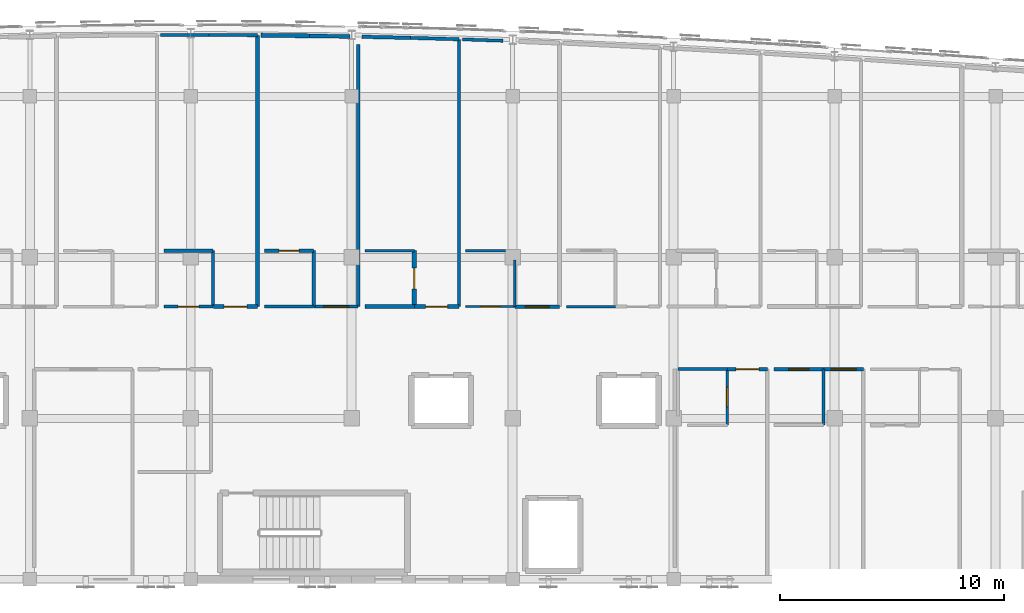
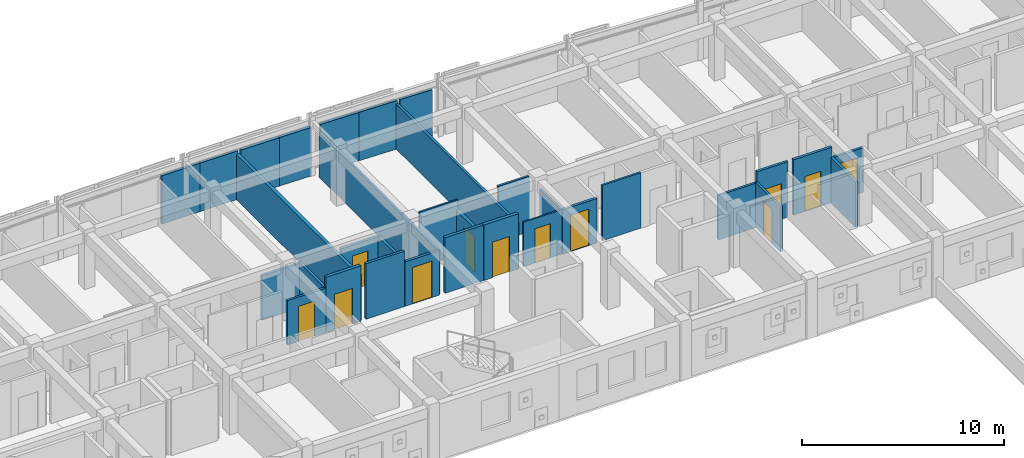
# One storey, part 42 of 50: 33 walls, 12 doors, 12 openings.
"""IFC4 building model written with IfcOpenShell, lengths in metres."""

from ifc_helpers import new_model, si_unit, direction, frame, frame_2d, origin, place, context, subcontext, project, spatial, rectangle, extrude, material, layer, layer_set, type_object, element, fill, save


model = new_model("IFC4")

# Units and contexts
model_context = context("Model", 3, precision=1e-05, world=origin(), true_north=direction((0.0, 1.0)))
body_context = subcontext(model_context, "Body", "Model", "MODEL_VIEW")
ifc_project = project(units=[si_unit("LENGTHUNIT", "METRE"), si_unit("AREAUNIT", "SQUARE_METRE"), si_unit("VOLUMEUNIT", "CUBIC_METRE"), si_unit("PLANEANGLEUNIT", "RADIAN"), si_unit("MASSUNIT", "GRAM", prefix="KILO")], contexts=[model_context])

# Site, building, storey
site_placement = place(None, origin())
site = spatial("IfcSite", under=ifc_project, at=site_placement, CompositionType="ELEMENT")
building_placement = place(site_placement, origin())
building = spatial("IfcBuilding", under=site, at=building_placement, Name="Carrowvane Square Congress Hotel", CompositionType="ELEMENT")
storey_placement = place(building_placement, frame((0.0, 0.0, 22.800048828125)))
storey = spatial("IfcBuildingStorey", under=building, at=storey_placement, Name="L05", CompositionType="ELEMENT", Elevation=22.800048828125)

# Wall, opening, door
ifc_material_1 = material(Name="Acoustic gypsum board", Category="gypsum")
ifc_layer_1 = layer(ifc_material_1, 0.155029296875)
ifc_layer_set_1 = layer_set([ifc_layer_1], Name="Acoustic gypsum board")
wall_type_1 = type_object("IfcWallType", Name="WL-FIR-155", PredefinedType="PARTITIONING", material=ifc_layer_set_1)
wall_1_placement = place(storey_placement, frame((124.10009765625, 101.199951171875, 0.0), z_axis=(0.0, 0.0, 1.0), x_axis=(1.0, 0.0, 0.0)))
wall_1 = element("IfcWall", 1, at=wall_1_placement, inside=storey, type_object=wall_type_1, Name="L05 En-suite Bathroom 0508 partition", PredefinedType="PARTITIONING", context=body_context, shape_type="SweptSolid", body=[
    extrude(rectangle(XDim=2.199951171875, YDim=0.155029296875, at=frame_2d((1.10009765625, 0.0))), origin(), (0.0, 0.0, 1.0), 3.349853515625),
])
opening_1_placement = place(wall_1_placement, frame((0.64501953125, 0.0, 0.0)))
opening_1 = element("IfcOpeningElement", 2, at=opening_1_placement, cuts=wall_1, Name="Opening ID-17", PredefinedType="OPENING", context=body_context, shape_type="SweptSolid", body=[
    extrude(rectangle(XDim=0.909912109375, YDim=2.110107421875, at=frame_2d((0.455078125, 1.05517578125))), frame((0.0, 0.08740234375, 0.0), z_axis=(0.0, -1.0, 0.0), x_axis=(1.0, 0.0, 0.0)), (0.0, 0.0, 1.0), 0.175048828125),
])
ifc_material_2 = material(Name="European oak timber", Category="wood")
door_type_1 = type_object("IfcDoorType", Name="DR-INT-0910x2110", OperationType="NOTDEFINED", PredefinedType="DOOR", material=ifc_material_2)
door_1_placement = place(opening_1_placement, origin())
door_1 = element("IfcDoor", 3, at=door_1_placement, inside=storey, type_object=door_type_1, Name="L05 En-suite Bathroom 0508 door", OperationType="SINGLE_SWING_LEFT", OverallHeight=2.110107421875, OverallWidth=0.909912109375, PredefinedType="DOOR", context=body_context, shape_type="SweptSolid", body=[
    extrude(rectangle(XDim=0.909912109375, YDim=2.110107421875, at=frame_2d((0.455078125, 1.05517578125))), frame((0.0, 0.02490234375, 0.0), z_axis=(0.0, -1.0, 0.0), x_axis=(1.0, 0.0, 0.0)), (0.0, 0.0, 1.0), 0.050048828125),
])
fill(opening_1, door_1)

# Walls
wall_2_placement = place(storey_placement, frame((103.5, 106.5, 0.0), z_axis=(0.0, 0.0, 1.0), x_axis=(0.0, -1.0, 0.0)))
element("IfcWall", 4, at=wall_2_placement, inside=storey, type_object=wall_type_1, Name="L05 En-suite Bathroom 0523 partition", PredefinedType="PARTITIONING", context=body_context, shape_type="SweptSolid", body=[
    extrude(rectangle(XDim=2.5, YDim=0.155029296875, at=frame_2d((1.25, 0.0))), origin(), (0.0, 0.0, 1.0), 2.73486328125),
])
wall_3_placement = place(storey_placement, frame((105.489990234375, 115.713134765625, 0.0), z_axis=(0.0, 0.0, 1.0), x_axis=(0.0, -1.0, 0.0)))
element("IfcWall", 5, at=wall_3_placement, inside=storey, type_object=wall_type_1, Name="L05 Parkview Guest Bedroom 0523 partition", PredefinedType="PARTITIONING", context=body_context, shape_type="SweptSolid", body=[
    extrude(rectangle(XDim=11.713134765625, YDim=0.155029296875, at=frame_2d((5.8564453125, 0.0))), origin(), (0.0, 0.0, 1.0), 2.68505859375),
])
wall_4_placement = place(storey_placement, frame((105.64990234375, 116.069580078125, 0.0), z_axis=(0.0, 0.0, 1.0), x_axis=(0.999731574518, -0.023168489633, 0.0)))
element("IfcWall", 6, at=wall_4_placement, inside=storey, type_object=wall_type_1, Name="L05 Parkview Guest Bedroom 0524 partition", PredefinedType="PARTITIONING", context=body_context, shape_type="SweptSolid", body=[
    extrude(rectangle(XDim=2.170654296875, YDim=0.155029296875, at=frame_2d((1.08544921875, 0.0))), origin(), (0.0, 0.0, 1.0), 2.925537109375),
])

# Wall, opening, door
wall_5_placement = place(storey_placement, frame((114.489990234375, 104.0, 0.0), z_axis=(0.0, 0.0, 1.0), x_axis=(-1.0, 0.0, 0.0)))
wall_5 = element("IfcWall", 7, at=wall_5_placement, inside=storey, type_object=wall_type_1, Name="L05 Parkview Guest Bedroom 0525 partition", PredefinedType="PARTITIONING", context=body_context, shape_type="SweptSolid", body=[
    extrude(rectangle(XDim=1.97998046875, YDim=0.155029296875, at=frame_2d((0.989990234375, 0.0))), origin(), (0.0, 0.0, 1.0), 2.68505859375),
])
opening_2_placement = place(wall_5_placement, frame((0.4599609375, 0.0, 0.0)))
opening_2 = element("IfcOpeningElement", 8, at=opening_2_placement, cuts=wall_5, Name="Opening FD-09", PredefinedType="OPENING", context=body_context, shape_type="SweptSolid", body=[
    extrude(rectangle(XDim=1.06005859375, YDim=2.199951171875, at=frame_2d((0.530029296875, 1.10009765625))), frame((0.0, 0.08740234375, 0.0), z_axis=(0.0, -1.0, 0.0), x_axis=(1.0, 0.0, 0.0)), (0.0, 0.0, 1.0), 0.175048828125),
])
ifc_material_3 = material(Name="European oak timber", Category="wood")
door_type_2 = type_object("IfcDoorType", Name="DR-FD30-1060x2200", OperationType="NOTDEFINED", PredefinedType="DOOR", material=ifc_material_3)
door_2_placement = place(opening_2_placement, origin())
door_2 = element("IfcDoor", 9, at=door_2_placement, inside=storey, type_object=door_type_2, Name="L05 Parkview Guest Bedroom 0525 entrance door", OperationType="SINGLE_SWING_RIGHT", OverallHeight=2.199951171875, OverallWidth=1.06005859375, PredefinedType="DOOR", context=body_context, shape_type="SweptSolid", body=[
    extrude(rectangle(XDim=1.06005859375, YDim=2.199951171875, at=frame_2d((0.530029296875, 1.10009765625))), frame((0.0, 0.02490234375, 0.0), z_axis=(0.0, -1.0, 0.0), x_axis=(1.0, 0.0, 0.0)), (0.0, 0.0, 1.0), 0.050048828125),
])
fill(opening_2, door_2)

ifc_material_4 = material(Name="Acoustic gypsum board", Category="gypsum")
ifc_layer_2 = layer(ifc_material_4, 0.169921875)
ifc_layer_set_2 = layer_set([ifc_layer_2], Name="Acoustic gypsum board")
wall_type_2 = type_object("IfcWallType", Name="WL-FIR-170", PredefinedType="PARTITIONING", material=ifc_layer_set_2)
wall_6_placement = place(storey_placement, frame((100.989990234375, 104.0, 0.0), z_axis=(0.0, 0.0, 1.0), x_axis=(-1.0, 0.0, 0.0)))
wall_6 = element("IfcWall", 10, at=wall_6_placement, inside=storey, type_object=wall_type_2, Name="L05 Parkview Guest Bedroom 0522 partition", PredefinedType="PARTITIONING", context=body_context, shape_type="SweptSolid", body=[
    extrude(rectangle(XDim=1.97998046875, YDim=0.169921875, at=frame_2d((0.989990234375, 0.0))), origin(), (0.0, 0.0, 1.0), 3.349853515625),
])
opening_3_placement = place(wall_6_placement, frame((0.47998046875, 0.0, 0.0)))
opening_3 = element("IfcOpeningElement", 11, at=opening_3_placement, cuts=wall_6, Name="Opening FD-08", PredefinedType="OPENING", context=body_context, shape_type="SweptSolid", body=[
    extrude(rectangle(XDim=1.02001953125, YDim=2.14990234375, at=frame_2d((0.510009765625, 1.074951171875))), frame((0.0, 0.094970703125, 0.0), z_axis=(0.0, -1.0, 0.0), x_axis=(1.0, 0.0, 0.0)), (0.0, 0.0, 1.0), 0.18994140625),
])
ifc_material_5 = material(Name="European oak timber", Category="wood")
door_type_3 = type_object("IfcDoorType", Name="DR-FD30-1020x2150", OperationType="NOTDEFINED", PredefinedType="DOOR", material=ifc_material_5)
door_3_placement = place(opening_3_placement, origin())
door_3 = element("IfcDoor", 12, at=door_3_placement, inside=storey, type_object=door_type_3, Name="L05 Parkview Guest Bedroom 0522 entrance door", OperationType="SINGLE_SWING_RIGHT", OverallHeight=2.14990234375, OverallWidth=1.02001953125, PredefinedType="DOOR", context=body_context, shape_type="SweptSolid", body=[
    extrude(rectangle(XDim=1.02001953125, YDim=2.14990234375, at=frame_2d((0.510009765625, 1.074951171875))), frame((0.0, 0.02490234375, 0.0), z_axis=(0.0, -1.0, 0.0), x_axis=(1.0, 0.0, 0.0)), (0.0, 0.0, 1.0), 0.050048828125),
])
fill(opening_3, door_3)

wall_7_placement = place(storey_placement, frame((101.300048828125, 106.5, 0.0), z_axis=(0.0, 0.0, 1.0), x_axis=(1.0, 0.0, 0.0)))
wall_7 = element("IfcWall", 13, at=wall_7_placement, inside=storey, type_object=wall_type_2, Name="L05 En-suite Bathroom 0523 partition", PredefinedType="PARTITIONING", context=body_context, shape_type="SweptSolid", body=[
    extrude(rectangle(XDim=2.199951171875, YDim=0.169921875, at=frame_2d((1.10009765625, 0.0))), origin(), (0.0, 0.0, 1.0), 2.73486328125),
])
opening_4_placement = place(wall_7_placement, frame((0.64990234375, 0.0, 0.0)))
opening_4 = element("IfcOpeningElement", 14, at=opening_4_placement, cuts=wall_7, Name="Opening ID-02", PredefinedType="OPENING", context=body_context, shape_type="SweptSolid", body=[
    extrude(rectangle(XDim=0.89990234375, YDim=2.080078125, at=frame_2d((0.449951171875, 1.0400390625))), frame((0.0, 0.094970703125, 0.0), z_axis=(0.0, -1.0, 0.0), x_axis=(1.0, 0.0, 0.0)), (0.0, 0.0, 1.0), 0.18994140625),
])
ifc_material_6 = material(Name="European oak timber", Category="wood")
door_type_4 = type_object("IfcDoorType", Name="DR-INT-0900x2080", OperationType="NOTDEFINED", PredefinedType="DOOR", material=ifc_material_6)
door_4_placement = place(opening_4_placement, origin())
door_4 = element("IfcDoor", 15, at=door_4_placement, inside=storey, type_object=door_type_4, Name="L05 En-suite Bathroom 0523 door", OperationType="SINGLE_SWING_LEFT", OverallHeight=2.080078125, OverallWidth=0.89990234375, PredefinedType="DOOR", context=body_context, shape_type="SweptSolid", body=[
    extrude(rectangle(XDim=0.89990234375, YDim=2.080078125, at=frame_2d((0.449951171875, 1.0400390625))), frame((0.0, 0.02490234375, 0.0), z_axis=(0.0, -1.0, 0.0), x_axis=(1.0, 0.0, 0.0)), (0.0, 0.0, 1.0), 0.050048828125),
])
fill(opening_4, door_4)

# Walls
wall_8_placement = place(storey_placement, frame((103.320068359375, 116.1103515625, 0.0), z_axis=(0.0, 0.0, 1.0), x_axis=(0.999853318035, -0.017127241892, 0.0)))
element("IfcWall", 16, at=wall_8_placement, inside=storey, type_object=wall_type_2, Name="L05 Parkview Guest Bedroom 0523 partition", PredefinedType="PARTITIONING", context=body_context, shape_type="SweptSolid", body=[
    extrude(rectangle(XDim=1.810302734375, YDim=0.169921875, at=frame_2d((0.9052734375, 0.0))), origin(), (0.0, 0.0, 1.0), 2.925537109375),
])
wall_9_placement = place(storey_placement, frame((108.0, 104.0, 0.0), z_axis=(0.0, 0.0, 1.0), x_axis=(-1.0, 0.0, 0.0)))
element("IfcWall", 17, at=wall_9_placement, inside=storey, type_object=wall_type_2, Name="L05 En-suite Bathroom 0524 partition", PredefinedType="PARTITIONING", context=body_context, shape_type="SweptSolid", body=[
    extrude(rectangle(XDim=2.199951171875, YDim=0.169921875, at=frame_2d((1.10009765625, 0.0))), origin(), (0.0, 0.0, 1.0), 3.349853515625),
])
ifc_material_7 = material(Name="Acoustic gypsum board", Category="gypsum")
ifc_layer_3 = layer(ifc_material_7, 0.18505859375)
ifc_layer_set_3 = layer_set([ifc_layer_3], Name="Acoustic gypsum board")
wall_type_3 = type_object("IfcWallType", Name="WL-FIR-185", PredefinedType="PARTITIONING", material=ifc_layer_set_3)
wall_10_placement = place(storey_placement, frame((100.989990234375, 116.136474609375, 0.0), z_axis=(0.0, 0.0, 1.0), x_axis=(0.0, -1.0, 0.0)))
element("IfcWall", 18, at=wall_10_placement, inside=storey, type_object=wall_type_3, Name="L05 Parkview Guest Bedroom 0522 partition", PredefinedType="PARTITIONING", context=body_context, shape_type="SweptSolid", body=[
    extrude(rectangle(XDim=12.136474609375, YDim=0.18505859375, at=frame_2d((6.068359375, 0.0))), origin(), (0.0, 0.0, 1.0), 2.73486328125),
])
wall_11_placement = place(storey_placement, frame((101.14990234375, 116.134765625, 0.0), z_axis=(0.0, 0.0, 1.0), x_axis=(0.999936726338, -0.011249147557, 0.0)))
element("IfcWall", 19, at=wall_11_placement, inside=storey, type_object=wall_type_3, Name="L05 Parkview Guest Bedroom 0523 partition", PredefinedType="PARTITIONING", context=body_context, shape_type="SweptSolid", body=[
    extrude(rectangle(XDim=2.17041015625, YDim=0.18505859375, at=frame_2d((1.085205078125, 0.0))), origin(), (0.0, 0.0, 1.0), 2.925537109375),
])

# Wall, opening, door
wall_12_placement = place(storey_placement, frame((108.0, 106.5, 0.0), z_axis=(0.0, 0.0, 1.0), x_axis=(0.0, -1.0, 0.0)))
wall_12 = element("IfcWall", 20, at=wall_12_placement, inside=storey, type_object=wall_type_3, Name="L05 En-suite Bathroom 0524 partition", PredefinedType="PARTITIONING", context=body_context, shape_type="SweptSolid", body=[
    extrude(rectangle(XDim=2.5, YDim=0.18505859375, at=frame_2d((1.25, 0.0))), origin(), (0.0, 0.0, 1.0), 2.73486328125),
])
opening_5_placement = place(wall_12_placement, frame((0.780029296875, 0.0, 0.0)))
opening_5 = element("IfcOpeningElement", 21, at=opening_5_placement, cuts=wall_12, Name="Opening ID-04", PredefinedType="OPENING", context=body_context, shape_type="SweptSolid", body=[
    extrude(rectangle(XDim=0.93994140625, YDim=2.1201171875, at=frame_2d((0.469970703125, 1.06005859375))), frame((0.0, 0.1025390625, 0.0), z_axis=(0.0, -1.0, 0.0), x_axis=(1.0, 0.0, 0.0)), (0.0, 0.0, 1.0), 0.205078125),
])
ifc_material_8 = material(Name="European oak timber", Category="wood")
door_type_5 = type_object("IfcDoorType", Name="DR-INT-0940x2120", OperationType="NOTDEFINED", PredefinedType="DOOR", material=ifc_material_8)
door_5_placement = place(opening_5_placement, origin())
door_5 = element("IfcDoor", 22, at=door_5_placement, inside=storey, type_object=door_type_5, Name="L05 En-suite Bathroom 0524 door", OperationType="SINGLE_SWING_LEFT", OverallHeight=2.1201171875, OverallWidth=0.93994140625, PredefinedType="DOOR", context=body_context, shape_type="SweptSolid", body=[
    extrude(rectangle(XDim=0.93994140625, YDim=2.1201171875, at=frame_2d((0.469970703125, 1.06005859375))), frame((0.0, 0.02490234375, 0.0), z_axis=(0.0, -1.0, 0.0), x_axis=(1.0, 0.0, 0.0)), (0.0, 0.0, 1.0), 0.050048828125),
])
fill(opening_5, door_5)

wall_13_placement = place(storey_placement, frame((109.989990234375, 104.0, 0.0), z_axis=(0.0, 0.0, 1.0), x_axis=(-1.0, 0.0, 0.0)))
wall_13 = element("IfcWall", 23, at=wall_13_placement, inside=storey, type_object=wall_type_3, Name="L05 Parkview Guest Bedroom 0524 partition", PredefinedType="PARTITIONING", context=body_context, shape_type="SweptSolid", body=[
    extrude(rectangle(XDim=1.97998046875, YDim=0.18505859375, at=frame_2d((0.989990234375, 0.0))), origin(), (0.0, 0.0, 1.0), 3.349853515625),
])
opening_6_placement = place(wall_13_placement, frame((0.5, 0.0, 0.0)))
opening_6 = element("IfcOpeningElement", 24, at=opening_6_placement, cuts=wall_13, Name="Opening FD-07", PredefinedType="OPENING", context=body_context, shape_type="SweptSolid", body=[
    extrude(rectangle(XDim=0.97998046875, YDim=2.14990234375, at=frame_2d((0.489990234375, 1.074951171875))), frame((0.0, 0.1025390625, 0.0), z_axis=(0.0, -1.0, 0.0), x_axis=(1.0, 0.0, 0.0)), (0.0, 0.0, 1.0), 0.205078125),
])
ifc_material_9 = material(Name="European oak timber", Category="wood")
door_type_6 = type_object("IfcDoorType", Name="DR-FD30-0980x2150", OperationType="NOTDEFINED", PredefinedType="DOOR", material=ifc_material_9)
door_6_placement = place(opening_6_placement, origin())
door_6 = element("IfcDoor", 25, at=door_6_placement, inside=storey, type_object=door_type_6, Name="L05 Parkview Guest Bedroom 0524 entrance door", OperationType="SINGLE_SWING_RIGHT", OverallHeight=2.14990234375, OverallWidth=0.97998046875, PredefinedType="DOOR", context=body_context, shape_type="SweptSolid", body=[
    extrude(rectangle(XDim=0.97998046875, YDim=2.14990234375, at=frame_2d((0.489990234375, 1.074951171875))), frame((0.0, 0.02490234375, 0.0), z_axis=(0.0, -1.0, 0.0), x_axis=(1.0, 0.0, 0.0)), (0.0, 0.0, 1.0), 0.050048828125),
])
fill(opening_6, door_6)

# Wall
ifc_material_10 = material(Name="Acoustic gypsum board", Category="gypsum")
ifc_layer_4 = layer(ifc_material_10, 0.097900390625)
ifc_layer_set_4 = layer_set([ifc_layer_4], Name="Acoustic gypsum board")
wall_type_4 = type_object("IfcWallType", Name="WL-PRT-098", PredefinedType="PARTITIONING", material=ifc_layer_set_4)
wall_14_placement = place(storey_placement, frame((105.800048828125, 106.5, 0.0), z_axis=(0.0, 0.0, 1.0), x_axis=(1.0, 0.0, 0.0)))
element("IfcWall", 26, at=wall_14_placement, inside=storey, type_object=wall_type_4, Name="L05 En-suite Bathroom 0524 partition", PredefinedType="PARTITIONING", context=body_context, shape_type="SweptSolid", body=[
    extrude(rectangle(XDim=2.199951171875, YDim=0.097900390625, at=frame_2d((1.10009765625, 0.0))), origin(), (0.0, 0.0, 1.0), 3.349853515625),
])

# Wall, opening, door
wall_15_placement = place(storey_placement, frame((112.5, 104.0, 0.0), z_axis=(0.0, 0.0, 1.0), x_axis=(-1.0, 0.0, 0.0)))
wall_15 = element("IfcWall", 27, at=wall_15_placement, inside=storey, type_object=wall_type_4, Name="L05 En-suite Bathroom 0525 partition", PredefinedType="PARTITIONING", context=body_context, shape_type="SweptSolid", body=[
    extrude(rectangle(XDim=2.199951171875, YDim=0.097900390625, at=frame_2d((1.10009765625, 0.0))), origin(), (0.0, 0.0, 1.0), 2.68505859375),
])
opening_7_placement = place(wall_15_placement, frame((0.6650390625, 0.0, 0.0)))
opening_7 = element("IfcOpeningElement", 28, at=opening_7_placement, cuts=wall_15, Name="Opening ID-15", PredefinedType="OPENING", context=body_context, shape_type="SweptSolid", body=[
    extrude(rectangle(XDim=0.8701171875, YDim=2.070068359375, at=frame_2d((0.43505859375, 1.03515625))), frame((0.0, 0.058837890625, 0.0), z_axis=(0.0, -1.0, 0.0), x_axis=(1.0, 0.0, 0.0)), (0.0, 0.0, 1.0), 0.117919921875),
])
ifc_material_11 = material(Name="European oak timber", Category="wood")
door_type_7 = type_object("IfcDoorType", Name="DR-INT-0870x2070", OperationType="NOTDEFINED", PredefinedType="DOOR", material=ifc_material_11)
door_7_placement = place(opening_7_placement, origin())
door_7 = element("IfcDoor", 29, at=door_7_placement, inside=storey, type_object=door_type_7, Name="L05 En-suite Bathroom 0525 door", OperationType="SINGLE_SWING_LEFT", OverallHeight=2.070068359375, OverallWidth=0.8701171875, PredefinedType="DOOR", context=body_context, shape_type="SweptSolid", body=[
    extrude(rectangle(XDim=0.8701171875, YDim=2.070068359375, at=frame_2d((0.43505859375, 1.03515625))), frame((0.0, 0.02490234375, 0.0), z_axis=(0.0, -1.0, 0.0), x_axis=(1.0, 0.0, 0.0)), (0.0, 0.0, 1.0), 0.050048828125),
])
fill(opening_7, door_7)

# Wall
ifc_material_12 = material(Name="Acoustic gypsum board", Category="gypsum")
ifc_layer_5 = layer(ifc_material_12, 0.10791015625)
ifc_layer_set_5 = layer_set([ifc_layer_5], Name="Acoustic gypsum board")
wall_type_5 = type_object("IfcWallType", Name="WL-PRT-108", PredefinedType="PARTITIONING", material=ifc_layer_set_5)
wall_16_placement = place(storey_placement, frame((112.5, 106.090087890625, 0.0), z_axis=(0.0, 0.0, 1.0), x_axis=(0.0, -1.0, 0.0)))
element("IfcWall", 30, at=wall_16_placement, inside=storey, type_object=wall_type_5, Name="L05 En-suite Bathroom 0525 partition", PredefinedType="PARTITIONING", context=body_context, shape_type="SweptSolid", body=[
    extrude(rectangle(XDim=2.090087890625, YDim=0.10791015625, at=frame_2d((1.044921875, 0.0))), origin(), (0.0, 0.0, 1.0), 2.68505859375),
])

# Wall, opening, door
ifc_material_13 = material(Name="Acoustic gypsum board", Category="gypsum")
ifc_layer_6 = layer(ifc_material_13, 0.117919921875)
ifc_layer_set_6 = layer_set([ifc_layer_6], Name="Acoustic gypsum board")
wall_type_6 = type_object("IfcWallType", Name="WL-PRT-118", PredefinedType="PARTITIONING", material=ifc_layer_set_6)
wall_17_placement = place(storey_placement, frame((122.0, 101.199951171875, 0.0), z_axis=(0.0, 0.0, 1.0), x_axis=(0.0, -1.0, 0.0)))
wall_17 = element("IfcWall", 31, at=wall_17_placement, inside=storey, type_object=wall_type_6, Name="L05 En-suite Bathroom 0507 partition", PredefinedType="PARTITIONING", context=body_context, shape_type="SweptSolid", body=[
    extrude(rectangle(XDim=2.5, YDim=0.117919921875, at=frame_2d((1.25, 0.0))), origin(), (0.0, 0.0, 1.0), 2.73486328125),
])
opening_8_placement = place(wall_17_placement, frame((0.81494140625, 0.0, 0.0)))
opening_8 = element("IfcOpeningElement", 32, at=opening_8_placement, cuts=wall_17, Name="Opening ID-15", PredefinedType="OPENING", context=body_context, shape_type="SweptSolid", body=[
    extrude(rectangle(XDim=0.8701171875, YDim=2.070068359375, at=frame_2d((0.43505859375, 1.03515625))), frame((0.0, 0.06884765625, 0.0), z_axis=(0.0, -1.0, 0.0), x_axis=(1.0, 0.0, 0.0)), (0.0, 0.0, 1.0), 0.137939453125),
])
door_8_placement = place(opening_8_placement, origin())
door_8 = element("IfcDoor", 33, at=door_8_placement, inside=storey, type_object=door_type_7, Name="L05 En-suite Bathroom 0507 door", OperationType="SINGLE_SWING_LEFT", OverallHeight=2.070068359375, OverallWidth=0.8701171875, PredefinedType="DOOR", context=body_context, shape_type="SweptSolid", body=[
    extrude(rectangle(XDim=0.8701171875, YDim=2.070068359375, at=frame_2d((0.43505859375, 1.03515625))), frame((0.0, 0.02490234375, 0.0), z_axis=(0.0, -1.0, 0.0), x_axis=(1.0, 0.0, 0.0)), (0.0, 0.0, 1.0), 0.050048828125),
])
fill(opening_8, door_8)

# Walls
wall_18_placement = place(storey_placement, frame((110.300048828125, 106.5, 0.0), z_axis=(0.0, 0.0, 1.0), x_axis=(1.0, 0.0, 0.0)))
element("IfcWall", 34, at=wall_18_placement, inside=storey, type_object=wall_type_6, Name="L05 En-suite Bathroom 0525 partition", PredefinedType="PARTITIONING", context=body_context, shape_type="SweptSolid", body=[
    extrude(rectangle(XDim=1.7900390625, YDim=0.117919921875, at=frame_2d((0.89501953125, 0.0))), origin(), (0.0, 0.0, 1.0), 3.349853515625),
])
wall_19_placement = place(storey_placement, frame((117.0, 104.0, 0.0), z_axis=(0.0, 0.0, 1.0), x_axis=(-1.0, 0.0, 0.0)))
element("IfcWall", 35, at=wall_19_placement, inside=storey, type_object=wall_type_6, Name="L05 En-suite Bathroom 0526 partition", PredefinedType="PARTITIONING", context=body_context, shape_type="SweptSolid", body=[
    extrude(rectangle(XDim=2.199951171875, YDim=0.117919921875, at=frame_2d((1.10009765625, 0.0))), origin(), (0.0, 0.0, 1.0), 3.349853515625),
])
ifc_material_14 = material(Name="Acoustic gypsum board", Category="gypsum")
ifc_layer_7 = layer(ifc_material_14, 0.1279296875)
ifc_layer_set_7 = layer_set([ifc_layer_7], Name="Acoustic gypsum board")
wall_type_7 = type_object("IfcWallType", Name="WL-PRT-128", PredefinedType="PARTITIONING", material=ifc_layer_set_7)
wall_20_placement = place(storey_placement, frame((119.800048828125, 101.199951171875, 0.0), z_axis=(0.0, 0.0, 1.0), x_axis=(1.0, 0.0, 0.0)))
element("IfcWall", 36, at=wall_20_placement, inside=storey, type_object=wall_type_7, Name="L05 En-suite Bathroom 0507 partition", PredefinedType="PARTITIONING", context=body_context, shape_type="SweptSolid", body=[
    extrude(rectangle(XDim=2.199951171875, YDim=0.1279296875, at=frame_2d((1.10009765625, 0.0))), origin(), (0.0, 0.0, 1.0), 2.68505859375),
])

# Wall, opening, door
wall_21_placement = place(storey_placement, frame((99.0, 104.0, 0.0), z_axis=(0.0, 0.0, 1.0), x_axis=(-1.0, 0.0, 0.0)))
wall_21 = element("IfcWall", 37, at=wall_21_placement, inside=storey, type_object=wall_type_7, Name="L05 En-suite Bathroom 0522 partition", PredefinedType="PARTITIONING", context=body_context, shape_type="SweptSolid", body=[
    extrude(rectangle(XDim=2.199951171875, YDim=0.1279296875, at=frame_2d((1.10009765625, 0.0))), origin(), (0.0, 0.0, 1.0), 2.68505859375),
])
opening_9_placement = place(wall_21_placement, frame((0.635009765625, 0.0, 0.0)))
opening_9 = element("IfcOpeningElement", 38, at=opening_9_placement, cuts=wall_21, Name="Opening ID-18", PredefinedType="OPENING", context=body_context, shape_type="SweptSolid", body=[
    extrude(rectangle(XDim=0.929931640625, YDim=2.1298828125, at=frame_2d((0.46484375, 1.06494140625))), frame((0.0, 0.073974609375, 0.0), z_axis=(0.0, -1.0, 0.0), x_axis=(1.0, 0.0, 0.0)), (0.0, 0.0, 1.0), 0.14794921875),
])
ifc_material_15 = material(Name="European oak timber", Category="wood")
door_type_8 = type_object("IfcDoorType", Name="DR-INT-0930x2130", OperationType="NOTDEFINED", PredefinedType="DOOR", material=ifc_material_15)
door_9_placement = place(opening_9_placement, origin())
door_9 = element("IfcDoor", 39, at=door_9_placement, inside=storey, type_object=door_type_8, Name="L05 En-suite Bathroom 0522 door", OperationType="SINGLE_SWING_LEFT", OverallHeight=2.1298828125, OverallWidth=0.929931640625, PredefinedType="DOOR", context=body_context, shape_type="SweptSolid", body=[
    extrude(rectangle(XDim=0.929931640625, YDim=2.1298828125, at=frame_2d((0.46484375, 1.06494140625))), frame((0.0, 0.02490234375, 0.0), z_axis=(0.0, -1.0, 0.0), x_axis=(1.0, 0.0, 0.0)), (0.0, 0.0, 1.0), 0.050048828125),
])
fill(opening_9, door_9)

# Walls
ifc_material_16 = material(Name="Acoustic gypsum board", Category="gypsum")
ifc_layer_8 = layer(ifc_material_16, 0.137939453125)
ifc_layer_set_8 = layer_set([ifc_layer_8], Name="Acoustic gypsum board")
wall_type_8 = type_object("IfcWallType", Name="WL-PRT-138", PredefinedType="PARTITIONING", material=ifc_layer_set_8)
wall_22_placement = place(storey_placement, frame((99.0, 106.5, 0.0), z_axis=(0.0, 0.0, 1.0), x_axis=(0.0, -1.0, 0.0)))
element("IfcWall", 40, at=wall_22_placement, inside=storey, type_object=wall_type_8, Name="L05 En-suite Bathroom 0522 partition", PredefinedType="PARTITIONING", context=body_context, shape_type="SweptSolid", body=[
    extrude(rectangle(XDim=2.5, YDim=0.137939453125, at=frame_2d((1.25, 0.0))), origin(), (0.0, 0.0, 1.0), 2.73486328125),
])
wall_23_placement = place(storey_placement, frame((98.820068359375, 116.147216796875, 0.0), z_axis=(0.0, 0.0, 1.0), x_axis=(0.999987746525, -0.004950434389, 0.0)))
element("IfcWall", 41, at=wall_23_placement, inside=storey, type_object=wall_type_8, Name="L05 Parkview Guest Bedroom 0522 partition", PredefinedType="PARTITIONING", context=body_context, shape_type="SweptSolid", body=[
    extrude(rectangle(XDim=2.169921875, YDim=0.137939453125, at=frame_2d((1.0849609375, 0.0))), origin(), (0.0, 0.0, 1.0), 2.925537109375),
])
wall_24_placement = place(storey_placement, frame((109.989990234375, 115.957275390625, 0.0), z_axis=(0.0, 0.0, 1.0), x_axis=(0.0, -1.0, 0.0)))
element("IfcWall", 42, at=wall_24_placement, inside=storey, type_object=wall_type_8, Name="L05 Parkview Guest Bedroom 0524 partition", PredefinedType="PARTITIONING", context=body_context, shape_type="SweptSolid", body=[
    extrude(rectangle(XDim=11.957275390625, YDim=0.137939453125, at=frame_2d((5.978515625, 0.0))), origin(), (0.0, 0.0, 1.0), 2.73486328125),
])
wall_25_placement = place(storey_placement, frame((110.14990234375, 115.95166015625, 0.0), z_axis=(0.0, 0.0, 1.0), x_axis=(0.999404557823, -0.034504054862, 0.0)))
element("IfcWall", 43, at=wall_25_placement, inside=storey, type_object=wall_type_8, Name="L05 Parkview Guest Bedroom 0525 partition", PredefinedType="PARTITIONING", context=body_context, shape_type="SweptSolid", body=[
    extrude(rectangle(XDim=1.811279296875, YDim=0.137939453125, at=frame_2d((0.90576171875, 0.0))), origin(), (0.0, 0.0, 1.0), 2.925537109375),
])

# Wall, opening, door
ifc_material_17 = material(Name="Acoustic gypsum board", Category="gypsum")
ifc_layer_9 = layer(ifc_material_17, 0.14794921875)
ifc_layer_set_9 = layer_set([ifc_layer_9], Name="Acoustic gypsum board")
wall_type_9 = type_object("IfcWallType", Name="WL-PRT-148", PredefinedType="PARTITIONING", material=ifc_layer_set_9)
wall_26_placement = place(storey_placement, frame((122.010009765625, 101.199951171875, 0.0), z_axis=(0.0, 0.0, 1.0), x_axis=(1.0, 0.0, 0.0)))
wall_26 = element("IfcWall", 44, at=wall_26_placement, inside=storey, type_object=wall_type_9, Name="L05 Hotel Guest Bedroom 0507 partition", PredefinedType="PARTITIONING", context=body_context, shape_type="SweptSolid", body=[
    extrude(rectangle(XDim=1.780029296875, YDim=0.14794921875, at=frame_2d((0.89013671875, 0.0))), origin(), (0.0, 0.0, 1.0), 3.349853515625),
])
opening_10_placement = place(wall_26_placement, frame((0.3798828125, 0.0, 0.0)))
opening_10 = element("IfcOpeningElement", 45, at=opening_10_placement, cuts=wall_26, Name="Opening FD-08", PredefinedType="OPENING", context=body_context, shape_type="SweptSolid", body=[
    extrude(rectangle(XDim=1.02001953125, YDim=2.14990234375, at=frame_2d((0.510009765625, 1.074951171875))), frame((0.0, 0.083984375, 0.0), z_axis=(0.0, -1.0, 0.0), x_axis=(1.0, 0.0, 0.0)), (0.0, 0.0, 1.0), 0.16796875),
])
door_10_placement = place(opening_10_placement, origin())
door_10 = element("IfcDoor", 46, at=door_10_placement, inside=storey, type_object=door_type_3, Name="L05 Hotel Guest Bedroom 0507 entrance door", OperationType="SINGLE_SWING_RIGHT", OverallHeight=2.14990234375, OverallWidth=1.02001953125, PredefinedType="DOOR", context=body_context, shape_type="SweptSolid", body=[
    extrude(rectangle(XDim=1.02001953125, YDim=2.14990234375, at=frame_2d((0.510009765625, 1.074951171875))), frame((0.0, 0.02490234375, 0.0), z_axis=(0.0, -1.0, 0.0), x_axis=(1.0, 0.0, 0.0)), (0.0, 0.0, 1.0), 0.050048828125),
])
fill(opening_10, door_10)

# Wall
wall_27_placement = place(storey_placement, frame((126.300048828125, 101.199951171875, 0.0), z_axis=(0.0, 0.0, 1.0), x_axis=(0.0, -1.0, 0.0)))
element("IfcWall", 47, at=wall_27_placement, inside=storey, type_object=wall_type_9, Name="L05 En-suite Bathroom 0508 partition", PredefinedType="PARTITIONING", context=body_context, shape_type="SweptSolid", body=[
    extrude(rectangle(XDim=2.5, YDim=0.14794921875, at=frame_2d((1.25, 0.0))), origin(), (0.0, 0.0, 1.0), 2.73486328125),
])

# Wall, opening, door
wall_28_placement = place(storey_placement, frame((126.31005859375, 101.199951171875, 0.0), z_axis=(0.0, 0.0, 1.0), x_axis=(1.0, 0.0, 0.0)))
wall_28 = element("IfcWall", 48, at=wall_28_placement, inside=storey, type_object=wall_type_9, Name="L05 Hotel Guest Bedroom 0508 partition", PredefinedType="PARTITIONING", context=body_context, shape_type="SweptSolid", body=[
    extrude(rectangle(XDim=1.780029296875, YDim=0.14794921875, at=frame_2d((0.89013671875, 0.0))), origin(), (0.0, 0.0, 1.0), 2.68505859375),
])
opening_11_placement = place(wall_28_placement, frame((0.330078125, 0.0, 0.0)))
opening_11 = element("IfcOpeningElement", 49, at=opening_11_placement, cuts=wall_28, Name="Opening FD-10", PredefinedType="OPENING", context=body_context, shape_type="SweptSolid", body=[
    extrude(rectangle(XDim=1.1201171875, YDim=2.199951171875, at=frame_2d((0.56005859375, 1.10009765625))), frame((0.0, 0.083984375, 0.0), z_axis=(0.0, -1.0, 0.0), x_axis=(1.0, 0.0, 0.0)), (0.0, 0.0, 1.0), 0.16796875),
])
ifc_material_18 = material(Name="European oak timber", Category="wood")
door_type_9 = type_object("IfcDoorType", Name="DR-FD30-1120x2200", OperationType="NOTDEFINED", PredefinedType="DOOR", material=ifc_material_18)
door_11_placement = place(opening_11_placement, origin())
door_11 = element("IfcDoor", 50, at=door_11_placement, inside=storey, type_object=door_type_9, Name="L05 Hotel Guest Bedroom 0508 entrance door", OperationType="SINGLE_SWING_RIGHT", OverallHeight=2.199951171875, OverallWidth=1.1201171875, PredefinedType="DOOR", context=body_context, shape_type="SweptSolid", body=[
    extrude(rectangle(XDim=1.1201171875, YDim=2.199951171875, at=frame_2d((0.56005859375, 1.10009765625))), frame((0.0, 0.02490234375, 0.0), z_axis=(0.0, -1.0, 0.0), x_axis=(1.0, 0.0, 0.0)), (0.0, 0.0, 1.0), 0.050048828125),
])
fill(opening_11, door_11)

# Walls
wall_29_placement = place(storey_placement, frame((96.800048828125, 106.5, 0.0), z_axis=(0.0, 0.0, 1.0), x_axis=(1.0, 0.0, 0.0)))
element("IfcWall", 51, at=wall_29_placement, inside=storey, type_object=wall_type_9, Name="L05 En-suite Bathroom 0522 partition", PredefinedType="PARTITIONING", context=body_context, shape_type="SweptSolid", body=[
    extrude(rectangle(XDim=2.199951171875, YDim=0.14794921875, at=frame_2d((1.10009765625, 0.0))), origin(), (0.0, 0.0, 1.0), 2.68505859375),
])
wall_30_placement = place(storey_placement, frame((96.64990234375, 116.1455078125, 0.0), z_axis=(0.0, 0.0, 1.0), x_axis=(0.99999968993, 0.000787489912, 0.0)))
element("IfcWall", 52, at=wall_30_placement, inside=storey, type_object=wall_type_9, Name="L05 Parkview Guest Bedroom 0522 partition", PredefinedType="PARTITIONING", context=body_context, shape_type="SweptSolid", body=[
    extrude(rectangle(XDim=2.170166015625, YDim=0.14794921875, at=frame_2d((1.0849609375, 0.0))), origin(), (0.0, 0.0, 1.0), 2.925537109375),
])
wall_31_placement = place(storey_placement, frame((103.5, 104.0, 0.0), z_axis=(0.0, 0.0, 1.0), x_axis=(-1.0, 0.0, 0.0)))
element("IfcWall", 53, at=wall_31_placement, inside=storey, type_object=wall_type_9, Name="L05 En-suite Bathroom 0523 partition", PredefinedType="PARTITIONING", context=body_context, shape_type="SweptSolid", body=[
    extrude(rectangle(XDim=2.199951171875, YDim=0.14794921875, at=frame_2d((1.10009765625, 0.0))), origin(), (0.0, 0.0, 1.0), 3.349853515625),
])

# Wall, opening, door
wall_32_placement = place(storey_placement, frame((105.489990234375, 104.0, 0.0), z_axis=(0.0, 0.0, 1.0), x_axis=(-1.0, 0.0, 0.0)))
wall_32 = element("IfcWall", 54, at=wall_32_placement, inside=storey, type_object=wall_type_9, Name="L05 Parkview Guest Bedroom 0523 partition", PredefinedType="PARTITIONING", context=body_context, shape_type="SweptSolid", body=[
    extrude(rectangle(XDim=1.97998046875, YDim=0.14794921875, at=frame_2d((0.989990234375, 0.0))), origin(), (0.0, 0.0, 1.0), 2.68505859375),
])
opening_12_placement = place(wall_32_placement, frame((0.429931640625, 0.0, 0.0)))
opening_12 = element("IfcOpeningElement", 55, at=opening_12_placement, cuts=wall_32, Name="Opening FD-10", PredefinedType="OPENING", context=body_context, shape_type="SweptSolid", body=[
    extrude(rectangle(XDim=1.1201171875, YDim=2.199951171875, at=frame_2d((0.56005859375, 1.10009765625))), frame((0.0, 0.083984375, 0.0), z_axis=(0.0, -1.0, 0.0), x_axis=(1.0, 0.0, 0.0)), (0.0, 0.0, 1.0), 0.16796875),
])
door_12_placement = place(opening_12_placement, origin())
door_12 = element("IfcDoor", 56, at=door_12_placement, inside=storey, type_object=door_type_9, Name="L05 Parkview Guest Bedroom 0523 entrance door", OperationType="SINGLE_SWING_RIGHT", OverallHeight=2.199951171875, OverallWidth=1.1201171875, PredefinedType="DOOR", context=body_context, shape_type="SweptSolid", body=[
    extrude(rectangle(XDim=1.1201171875, YDim=2.199951171875, at=frame_2d((0.56005859375, 1.10009765625))), frame((0.0, 0.02490234375, 0.0), z_axis=(0.0, -1.0, 0.0), x_axis=(1.0, 0.0, 0.0)), (0.0, 0.0, 1.0), 0.050048828125),
])
fill(opening_12, door_12)

# Wall
wall_33_placement = place(storey_placement, frame((107.820068359375, 116.019287109375, 0.0), z_axis=(0.0, 0.0, 1.0), x_axis=(0.999591902973, -0.028566195247, 0.0)))
element("IfcWall", 57, at=wall_33_placement, inside=storey, type_object=wall_type_9, Name="L05 Parkview Guest Bedroom 0524 partition", PredefinedType="PARTITIONING", context=body_context, shape_type="SweptSolid", body=[
    extrude(rectangle(XDim=2.1708984375, YDim=0.14794921875, at=frame_2d((1.08544921875, 0.0))), origin(), (0.0, 0.0, 1.0), 2.925537109375),
])

save(model, "model.ifc")
